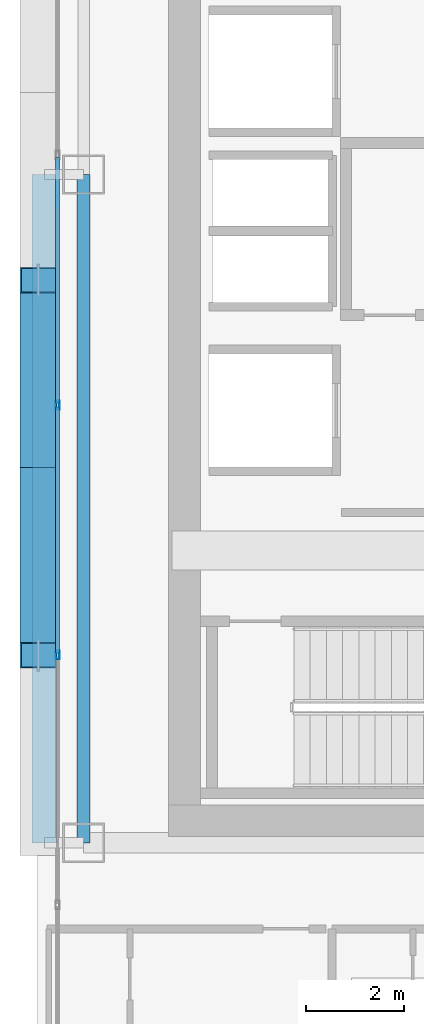
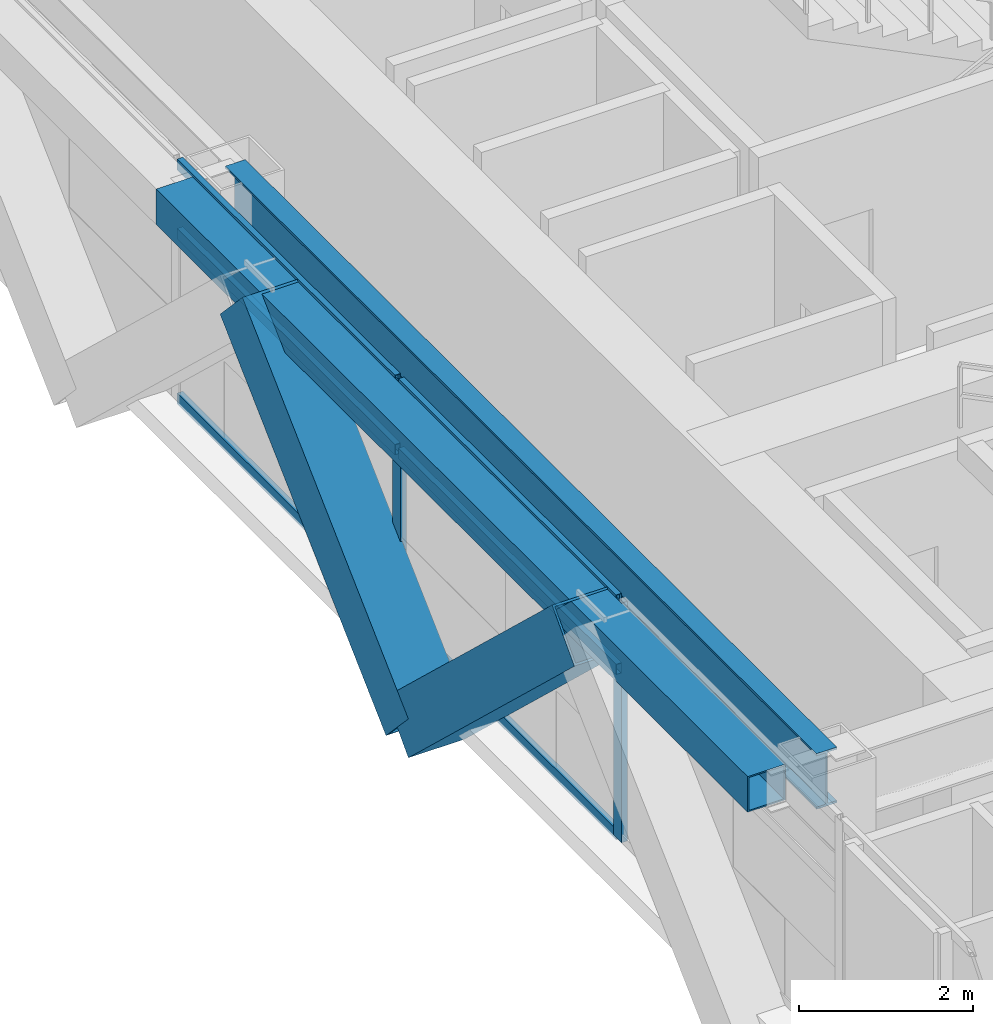
# One storey, part 7 of 39: 10 members, 2 beams, 1 element without a shape of its own.
"""IFC4 building model written with IfcOpenShell, lengths in metres."""

from ifc_helpers import new_model, si_unit, direction, frame, origin, origin_2d, place, context, subcontext, project, spatial, hollow_rectangle, i_section, extrude, source, transform, mapped, material, layer, layer_set, material_profile, profile_set, type_object, element, aggregate, save


model = new_model("IFC4")

# Units and contexts
model_context = context("Model", 3, precision=1e-05, world=origin(), true_north=direction((0.0, 1.0)))
body_context = subcontext(model_context, "Body", "Model", "MODEL_VIEW")
ifc_project = project(units=[si_unit("LENGTHUNIT", "METRE"), si_unit("AREAUNIT", "SQUARE_METRE"), si_unit("VOLUMEUNIT", "CUBIC_METRE"), si_unit("PLANEANGLEUNIT", "RADIAN"), si_unit("MASSUNIT", "GRAM", prefix="KILO")], contexts=[model_context])

# Site, building, storey
site_placement = place(None, origin())
site = spatial("IfcSite", under=ifc_project, at=site_placement, CompositionType="ELEMENT")
building_placement = place(site_placement, origin())
building = spatial("IfcBuilding", under=site, at=building_placement, Name="Ocotamira Hotel", CompositionType="ELEMENT")
storey_placement = place(building_placement, frame((0.0, 0.0, 104.39990234375)))
storey = spatial("IfcBuildingStorey", under=building, at=storey_placement, Name="L25", CompositionType="ELEMENT", Elevation=104.39990234375)

# Beams
ifc_material_1 = material(Name="Steel ASTM A992 Grade 50", Category="steel")
ifc_material_profile_1 = material_profile(ifc_material_1, i_section(OverallWidth=0.26611328125, OverallDepth=0.779052734375, WebThickness=0.0166015625, FlangeThickness=0.030029296875, FilletRadius=0.01806640625, at=origin_2d()), Name="W30X148")
ifc_profile_set_1 = profile_set([ifc_material_profile_1], Name="Steel ASTM A992 Grade 50")
beam_type_1 = type_object("IfcBeamType", Name="BM-GIRD-W30X148", PredefinedType="BEAM", material=ifc_profile_set_1)
shared_shape_1 = source(origin(), body_context, "Body", "SweptSolid", [
    extrude(i_section(OverallWidth=0.26611328125, OverallDepth=0.779052734375, WebThickness=0.0166015625, FlangeThickness=0.030029296875, FilletRadius=0.01806640625, at=origin_2d()), origin(), (0.0, 0.0, 1.0), 13.599853515625),
])
beam_1_placement = place(storey_placement, frame((8.949951171875, 14.550048828125, 2.970703125), z_axis=(0.0, 1.0, 0.0), x_axis=(-1.0, 0.0, 0.0)))
element("IfcBeam", 1, at=beam_1_placement, inside=storey, type_object=beam_type_1, Name="L25 Beam X8.95 Y14.55-28.15", PredefinedType="BEAM", context=body_context, shape_type="MappedRepresentation", body=[
    mapped(shared_shape_1, transform((0.0, 0.0, 0.0), scale=1.0)),
])
ifc_material_2 = material(Name="Steel ASTM A500 Grade C", Category="steel")
ifc_material_profile_2 = material_profile(ifc_material_2, hollow_rectangle(XDim=0.5, YDim=0.5, WallThickness=0.02001953125, at=origin_2d()), Name="HSS500X500X20")
ifc_profile_set_2 = profile_set([ifc_material_profile_2], Name="Steel ASTM A500 Grade C")
beam_type_2 = type_object("IfcBeamType", Name="BM-SPAN-HSS500", PredefinedType="USERDEFINED", material=ifc_profile_set_2)
shared_shape_2 = source(origin(), body_context, "Body", "SweptSolid", [
    extrude(hollow_rectangle(XDim=0.5, YDim=0.5, WallThickness=0.02001953125, at=origin_2d()), origin(), (0.0, 0.0, 1.0), 13.599853515625),
])
beam_2_placement = place(storey_placement, frame((8.14990234375, 14.550048828125, 3.110107421875), z_axis=(0.0, 1.0, 0.0), x_axis=(-1.0, 0.0, 0.0)))
element("IfcBeam", 2, at=beam_2_placement, inside=storey, type_object=beam_type_2, Name="L25 Edge Spandrel W Y14.55-28.15", ObjectType="SPANDREL", PredefinedType="USERDEFINED", context=body_context, shape_type="MappedRepresentation", body=[
    mapped(shared_shape_2, transform((0.0, 0.0, 0.0), scale=1.0)),
])

# Members
ifc_material_3 = material(Name="Pale-metal coated steel ASTM A913 Grade 65", Category="steel")
ifc_material_profile_3 = material_profile(ifc_material_3, hollow_rectangle(XDim=0.75, YDim=0.75, WallThickness=0.028076171875, at=origin_2d()), Name="BOX750X750X28")
ifc_profile_set_3 = profile_set([ifc_material_profile_3], Name="Pale-metal coated steel ASTM A913 Grade 65")
member_type_1 = type_object("IfcMemberType", Name="MEM-EXO-BOX750", PredefinedType="BRACE", material=ifc_profile_set_3)
shared_shape_3 = source(origin(), body_context, "Body", "SweptSolid", [
    extrude(hollow_rectangle(XDim=0.75, YDim=0.75, WallThickness=0.028076171875, at=origin_2d()), origin(), (0.0, 0.0, 1.0), 5.24658203125),
])
for number, where, z_axis, x_axis, name in (
    (3, (8.030029296875, 22.183349609375, -0.489990234375), (0.0, -0.727442733726, 0.686168397078), (1.0, 0.0, 0.0), "L25 Exoskeleton Diagrid W0.2"),
    (4, (8.030029296875, 22.183349609375, -0.489990234375), (0.0, 0.727442733726, 0.686168397078), (-1.0, 0.0, 0.0), "L25 Exoskeleton Diagrid W1.1"),
):
    element("IfcMember", number, at=place(storey_placement, frame(where, z_axis=z_axis, x_axis=x_axis)), inside=storey, type_object=member_type_1, Name=name, PredefinedType="BRACE", context=body_context, shape_type="MappedRepresentation", body=[
        mapped(shared_shape_3, transform((0.0, 0.0, 0.0), scale=1.0)),
    ])

# Curtain wall, members
ifc_material_4 = material(Name="Anodised pale-metal aluminium and solar glass", Category="aluminium")
ifc_layer = layer(ifc_material_4, 0.179931640625)
ifc_layer_set = layer_set([ifc_layer], Name="Anodised pale-metal aluminium and solar glass")
curtain_wall_type = type_object("IfcCurtainWallType", Name="CW-SYS3-Z2", PredefinedType="NOTDEFINED", material=ifc_layer_set)
curtain_wall_placement = place(storey_placement, origin())
curtain_wall = element("IfcCurtainWall", 5, at=curtain_wall_placement, inside=storey, type_object=curtain_wall_type, Name="L25 Curtain Wall CW-3 CW-L25-W", PredefinedType="NOTDEFINED")
ifc_material_5 = material(Name="Anodised pale-metal aluminium 6063-T6", Category="aluminium")
ifc_material_profile_4 = material_profile(ifc_material_5, hollow_rectangle(XDim=0.074951171875, YDim=0.14990234375, WallThickness=0.006103515625, at=origin_2d()), Name="HSS150X75X6")
ifc_profile_set_4 = profile_set([ifc_material_profile_4], Name="Anodised pale-metal aluminium 6063-T6")
member_type_2 = type_object("IfcMemberType", Name="CWT-150X75", PredefinedType="USERDEFINED", material=ifc_profile_set_4)
shared_shape_4 = source(origin(), body_context, "Body", "SweptSolid", [
    extrude(hollow_rectangle(XDim=0.074951171875, YDim=0.14990234375, WallThickness=0.006103515625, at=origin_2d()), origin(), (0.0, 0.0, 1.0), 5.005859375),
])
member_1_placement = place(storey_placement, frame((8.419921875, 18.411376953125, 0.03759765625), z_axis=(0.0, 1.0, 0.0), x_axis=(-1.0, 0.0, 0.0)))
member_1 = element("IfcMember", 6, at=member_1_placement, type_object=member_type_2, Name="CW-3 transom 3.1", ObjectType="TRANSOM", PredefinedType="USERDEFINED", context=body_context, shape_type="MappedRepresentation", body=[
    mapped(shared_shape_4, transform((0.0, 0.0, 0.0), scale=1.0)),
])
member_2_placement = place(storey_placement, frame((8.419921875, 18.411376953125, 2.35009765625), z_axis=(0.0, 1.0, 0.0), x_axis=(-1.0, 0.0, 0.0)))
member_2 = element("IfcMember", 7, at=member_2_placement, type_object=member_type_2, Name="CW-3 transom 3.2", ObjectType="TRANSOM", PredefinedType="USERDEFINED", context=body_context, shape_type="MappedRepresentation", body=[
    mapped(shared_shape_4, transform((0.0, 0.0, 0.0), scale=1.0)),
])
member_3_placement = place(storey_placement, frame((8.419921875, 18.411376953125, 3.322509765625), z_axis=(0.0, 1.0, 0.0), x_axis=(-1.0, 0.0, 0.0)))
member_3 = element("IfcMember", 8, at=member_3_placement, type_object=member_type_2, Name="CW-3 transom 3.3", ObjectType="TRANSOM", PredefinedType="USERDEFINED", context=body_context, shape_type="MappedRepresentation", body=[
    mapped(shared_shape_4, transform((0.0, 0.0, 0.0), scale=1.0)),
])
member_4_placement = place(storey_placement, frame((8.419921875, 23.4970703125, 0.03759765625), z_axis=(0.0, 1.0, 0.0), x_axis=(-1.0, 0.0, 0.0)))
member_4 = element("IfcMember", 9, at=member_4_placement, type_object=member_type_2, Name="CW-3 transom 4.1", ObjectType="TRANSOM", PredefinedType="USERDEFINED", context=body_context, shape_type="MappedRepresentation", body=[
    mapped(shared_shape_4, transform((0.0, 0.0, 0.0), scale=1.0)),
])
member_5_placement = place(storey_placement, frame((8.419921875, 23.4970703125, 2.35009765625), z_axis=(0.0, 1.0, 0.0), x_axis=(-1.0, 0.0, 0.0)))
member_5 = element("IfcMember", 10, at=member_5_placement, type_object=member_type_2, Name="CW-3 transom 4.2", ObjectType="TRANSOM", PredefinedType="USERDEFINED", context=body_context, shape_type="MappedRepresentation", body=[
    mapped(shared_shape_4, transform((0.0, 0.0, 0.0), scale=1.0)),
])
member_6_placement = place(storey_placement, frame((8.419921875, 23.4970703125, 3.322509765625), z_axis=(0.0, 1.0, 0.0), x_axis=(-1.0, 0.0, 0.0)))
member_6 = element("IfcMember", 11, at=member_6_placement, type_object=member_type_2, Name="CW-3 transom 4.3", ObjectType="TRANSOM", PredefinedType="USERDEFINED", context=body_context, shape_type="MappedRepresentation", body=[
    mapped(shared_shape_4, transform((0.0, 0.0, 0.0), scale=1.0)),
])
ifc_material_profile_5 = material_profile(ifc_material_5, hollow_rectangle(XDim=0.080078125, YDim=0.179931640625, WallThickness=0.006103515625, at=origin_2d()), Name="HSS180X80X6")
ifc_profile_set_5 = profile_set([ifc_material_profile_5], Name="Anodised pale-metal aluminium 6063-T6")
member_type_3 = type_object("IfcMemberType", Name="CWM-180X75", PredefinedType="MULLION", material=ifc_profile_set_5)
shared_shape_5 = source(origin(), body_context, "Body", "SweptSolid", [
    extrude(hollow_rectangle(XDim=0.080078125, YDim=0.179931640625, WallThickness=0.006103515625, at=origin_2d()), origin(), (0.0, 0.0, 1.0), 3.360107421875),
])
member_7_placement = place(storey_placement, frame((8.419921875, 18.371337890625, 0.0), z_axis=(0.0, 0.0, 1.0), x_axis=(-1.0, 0.0, 0.0)))
member_7 = element("IfcMember", 12, at=member_7_placement, type_object=member_type_3, Name="CW-3 mullion 3", PredefinedType="MULLION", context=body_context, shape_type="MappedRepresentation", body=[
    mapped(shared_shape_5, transform((0.0, 0.0, 0.0), scale=1.0)),
])
member_8_placement = place(storey_placement, frame((8.419921875, 23.45703125, 0.0), z_axis=(0.0, 0.0, 1.0), x_axis=(-1.0, 0.0, 0.0)))
member_8 = element("IfcMember", 13, at=member_8_placement, type_object=member_type_3, Name="CW-3 mullion 4", PredefinedType="MULLION", context=body_context, shape_type="MappedRepresentation", body=[
    mapped(shared_shape_5, transform((0.0, 0.0, 0.0), scale=1.0)),
])
aggregate(curtain_wall, [member_7, member_8, member_1, member_2, member_3, member_4, member_5, member_6])

save(model, "model.ifc")
